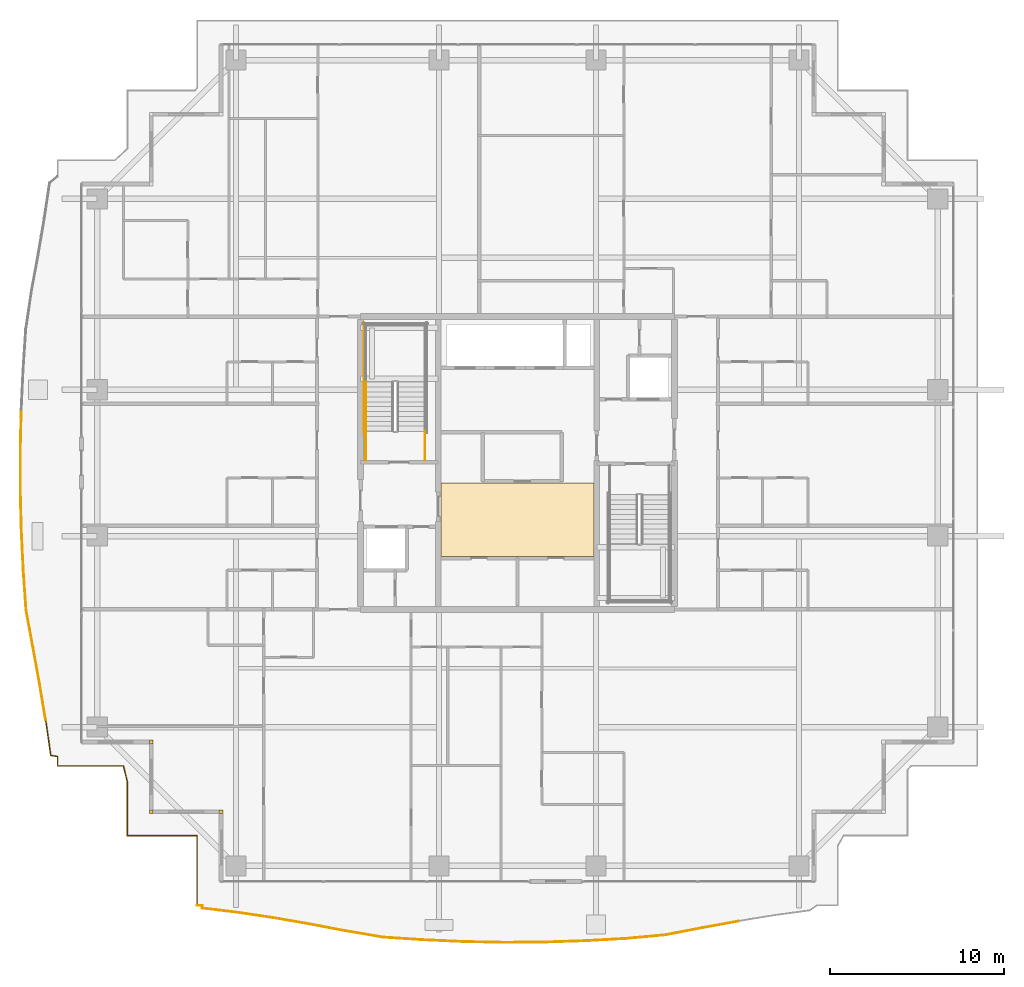
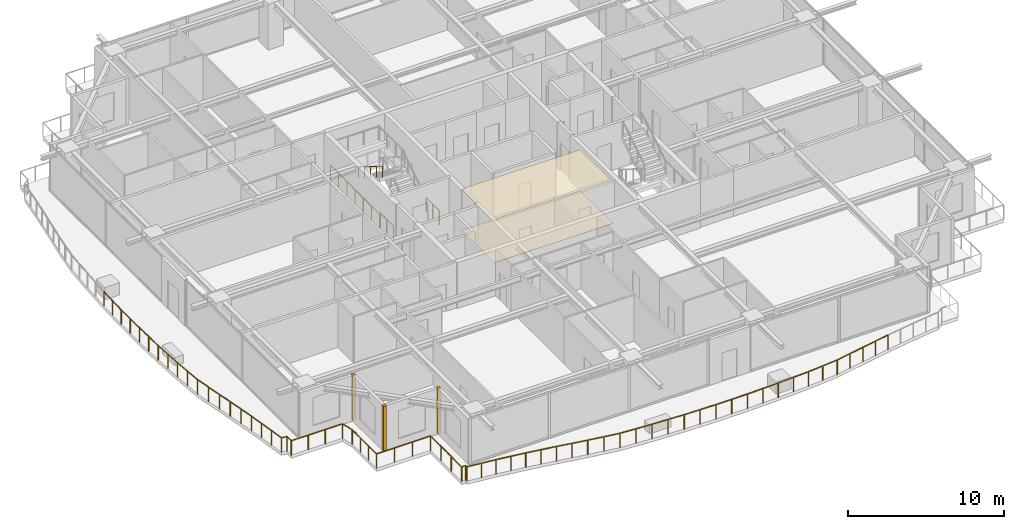
# One storey, part 32 of 36: 8 railings, 5 coverings.
"""IFC4 building model written with IfcOpenShell, lengths in metres."""

from ifc_helpers import new_model, si_unit, direction, frame, origin, origin_2d, place, context, subcontext, project, spatial, polyline, rectangle, circle, outline, extrude, source, transform, mapped, material, layer, layer_set, type_object, element, save


model = new_model("IFC4")

# Units and contexts
model_context = context("Model", 3, precision=1e-05, world=origin(), true_north=direction((0.0, 1.0)))
body_context = subcontext(model_context, "Body", "Model", "MODEL_VIEW")
ifc_project = project(units=[si_unit("LENGTHUNIT", "METRE"), si_unit("AREAUNIT", "SQUARE_METRE"), si_unit("VOLUMEUNIT", "CUBIC_METRE"), si_unit("PLANEANGLEUNIT", "RADIAN"), si_unit("MASSUNIT", "GRAM", prefix="KILO")], contexts=[model_context])

# Site, building, storey
site_placement = place(None, origin())
site = spatial("IfcSite", under=ifc_project, at=site_placement, CompositionType="ELEMENT")
building_placement = place(site_placement, origin())
building = spatial("IfcBuilding", under=site, at=building_placement, Name="Serunith Strait Residences", CompositionType="ELEMENT")
storey_placement = place(building_placement, frame((0.0, 0.0, 256.64990234375)))
storey = spatial("IfcBuildingStorey", under=building, at=storey_placement, Name="L64", CompositionType="ELEMENT", Elevation=256.64990234375)

# Coverings
ifc_material_1 = material(Name="Perforated acoustic gypsum ceiling tile")
ifc_layer_1 = layer(ifc_material_1, 0.02490234375, Name="Perforated acoustic gypsum ceiling tile")
ifc_layer_set_1 = layer_set([ifc_layer_1], Name="Perforated acoustic gypsum ceiling tile")
covering_type_1 = type_object("IfcCoveringType", Name="COV-CEIL-AC60", PredefinedType="CEILING", material=ifc_layer_set_1)
covering_1_placement = place(storey_placement, frame((0.0, 0.0, 3.239990234375)))
element("IfcCovering", 1, at=covering_1_placement, inside=storey, type_object=covering_type_1, Name="L64 Lift Lobby Acoustic Ceiling", PredefinedType="CEILING", context=body_context, shape_type="SweptSolid", body=[
    extrude(outline(polyline([(28.0, 19.85009765625), (36.800048828125, 19.85009765625), (36.800048828125, 24.050048828125), (28.0, 24.050048828125), (28.0, 19.85009765625)])), origin(), (0.0, 0.0, 1.0), 0.025146484375),
])
ifc_material_2 = material(Name="Honed limestone terrazzo flooring", Category="masonry")
ifc_layer_2 = layer(ifc_material_2, 0.02001953125, Name="Honed limestone terrazzo flooring")
ifc_layer_set_2 = layer_set([ifc_layer_2], Name="Honed limestone terrazzo flooring")
covering_type_2 = type_object("IfcCoveringType", Name="COV-FLOOR-TER40", PredefinedType="FLOORING", material=ifc_layer_set_2)
covering_2_placement = place(storey_placement, origin())
element("IfcCovering", 2, at=covering_2_placement, inside=storey, type_object=covering_type_2, Name="L64 Lift Lobby Terrazzo Flooring", PredefinedType="FLOORING", context=body_context, shape_type="SweptSolid", body=[
    extrude(outline(polyline([(28.0, 19.85009765625), (36.800048828125, 19.85009765625), (36.800048828125, 24.050048828125), (28.0, 24.050048828125), (28.0, 19.85009765625)])), origin(), (0.0, 0.0, 1.0), 0.02001953125),
])

# Railings
ifc_material_3 = material(Name="Stainless Steel & Laminated Glass Balustrade", Category="steel")
railing_type_1 = type_object("IfcRailingType", Name="RLG-BALC-1150", PredefinedType="BALUSTRADE", material=ifc_material_3)
railing_1_placement = place(storey_placement, frame((14.02001953125, -0.179931640625, -0.0498046875)))
element("IfcRailing", 3, at=railing_1_placement, inside=storey, type_object=railing_type_1, Name="L64 Swirling Balcony Perimeter Balustrade 1", PredefinedType="BALUSTRADE", context=body_context, shape_type="SweptSolid", body=[
    extrude(circle(Radius=0.02392578125, at=origin_2d()), frame((0.0, 0.001953125, 1.1259765625), z_axis=(0.0, 1.0, 0.0), x_axis=(-1.0, 0.0, 0.0)), (0.0, 0.0, 1.0), 3.99609375),
    extrude(circle(Radius=0.02392578125, at=origin_2d()), frame((-0.001953125, 4.0, 1.1259765625), z_axis=(-1.0, 0.0, 0.0), x_axis=(0.0, -1.0, 0.0)), (0.0, 0.0, 1.0), 3.99609375),
    extrude(circle(Radius=0.02392578125, at=origin_2d()), frame((-4.0, 4.001953125, 1.1259765625), z_axis=(0.0, 1.0, 0.0), x_axis=(-1.0, 0.0, 0.0)), (0.0, 0.0, 1.0), 3.099853515625),
    extrude(circle(Radius=0.02392578125, at=origin_2d()), frame((-4.00048828125, 7.105712890625, 1.1259765625), z_axis=(-0.238861725019, 0.971053590859, 0.0), x_axis=(-0.971053590859, -0.238861725019, 0.0)), (0.0, 0.0, 1.0), 0.9189453125),
    extrude(circle(Radius=0.02392578125, at=origin_2d()), frame((-4.222412109375, 8.0, 1.1259765625), z_axis=(-1.0, 0.0, 0.0), x_axis=(0.0, -1.0, 0.0)), (0.0, 0.0, 1.0), 3.775634765625),
    extrude(circle(Radius=0.02392578125, at=origin_2d()), frame((-8.0, 8.001953125, 1.1259765625), z_axis=(0.0, 1.0, 0.0), x_axis=(-1.0, 0.0, 0.0)), (0.0, 0.0, 1.0), 0.5361328125),
    extrude(circle(Radius=0.02392578125, at=origin_2d()), frame((-8.001953125, 8.540283203125, 1.1259765625), z_axis=(-0.986174998293, 0.16570718977, 0.0), x_axis=(-0.16570718977, -0.986174998293, 0.0)), (0.0, 0.0, 1.0), 0.389404296875),
    extrude(circle(Radius=0.02392578125, at=origin_2d()), frame((-8.38818359375, 8.607177734375, 1.1259765625), z_axis=(-0.140687502805, 0.99005405234, 0.0), x_axis=(-0.99005405234, -0.140687502805, 0.0)), (0.0, 0.0, 1.0), 2.04541015625),
    extrude(circle(Radius=0.02099609375, at=origin_2d()), origin(), (0.0, 0.0, 1.0), 1.099853515625),
    extrude(circle(Radius=0.02099609375, at=origin_2d()), frame((0.0, 1.333251953125, 0.0)), (0.0, 0.0, 1.0), 1.099853515625),
    extrude(circle(Radius=0.02099609375, at=origin_2d()), frame((0.0, 2.666748046875, 0.0)), (0.0, 0.0, 1.0), 1.099853515625),
    extrude(circle(Radius=0.02099609375, at=origin_2d()), frame((0.0, 4.0, 0.0)), (0.0, 0.0, 1.0), 1.099853515625),
    extrude(circle(Radius=0.02099609375, at=origin_2d()), frame((-1.333251953125, 4.0, 0.0)), (0.0, 0.0, 1.0), 1.099853515625),
    extrude(circle(Radius=0.02099609375, at=origin_2d()), frame((-2.666748046875, 4.0, 0.0)), (0.0, 0.0, 1.0), 1.099853515625),
    extrude(circle(Radius=0.02099609375, at=origin_2d()), frame((-4.0, 4.0, 0.0)), (0.0, 0.0, 1.0), 1.099853515625),
    extrude(circle(Radius=0.02099609375, at=origin_2d()), frame((-4.0, 5.03466796875, 0.0)), (0.0, 0.0, 1.0), 1.099853515625),
    extrude(circle(Radius=0.02099609375, at=origin_2d()), frame((-4.0, 6.069091796875, 0.0)), (0.0, 0.0, 1.0), 1.099853515625),
    extrude(circle(Radius=0.02099609375, at=origin_2d()), frame((-4.0, 7.103759765625, 0.0)), (0.0, 0.0, 1.0), 1.099853515625),
    extrude(circle(Radius=0.02099609375, at=origin_2d()), frame((-4.220458984375, 8.0, 0.0)), (0.0, 0.0, 1.0), 1.099853515625),
    extrude(circle(Radius=0.02099609375, at=origin_2d()), frame((-5.480224609375, 8.0, 0.0)), (0.0, 0.0, 1.0), 1.099853515625),
    extrude(circle(Radius=0.02099609375, at=origin_2d()), frame((-6.740234375, 8.0, 0.0)), (0.0, 0.0, 1.0), 1.099853515625),
    extrude(circle(Radius=0.02099609375, at=origin_2d()), frame((-8.0, 8.0, 0.0)), (0.0, 0.0, 1.0), 1.099853515625),
    extrude(circle(Radius=0.02099609375, at=origin_2d()), frame((-8.0, 8.5400390625, 0.0)), (0.0, 0.0, 1.0), 1.099853515625),
    extrude(circle(Radius=0.02099609375, at=origin_2d()), frame((-8.387939453125, 8.605224609375, 0.0)), (0.0, 0.0, 1.0), 1.099853515625),
    extrude(circle(Radius=0.02099609375, at=origin_2d()), frame((-8.5322265625, 9.61962890625, 0.0)), (0.0, 0.0, 1.0), 1.099853515625),
    extrude(circle(Radius=0.02099609375, at=origin_2d()), frame((-8.67626953125, 10.63427734375, 0.0)), (0.0, 0.0, 1.0), 1.099853515625),
])
railing_2_placement = place(storey_placement, frame((5.34375, 10.454345703125, -0.0498046875)))
element("IfcRailing", 4, at=railing_2_placement, inside=storey, type_object=railing_type_1, Name="L64 Swirling Balcony Perimeter Balustrade 2", PredefinedType="BALUSTRADE", context=body_context, shape_type="SweptSolid", body=[
    extrude(circle(Radius=0.02392578125, at=origin_2d()), frame((-0.000244140625, 0.001953125, 1.1259765625), z_axis=(-0.163865983263, 0.986482609846, 0.0), x_axis=(-0.986482609846, -0.163865983263, 0.0)), (0.0, 0.0, 1.0), 2.075927734375),
    extrude(circle(Radius=0.02392578125, at=origin_2d()), frame((-0.341064453125, 2.0537109375, 1.1259765625), z_axis=(-0.179461337217, 0.983765027049, 0.0), x_axis=(-0.983765027049, -0.179461337217, 0.0)), (0.0, 0.0, 1.0), 2.122314453125),
    extrude(circle(Radius=0.02392578125, at=origin_2d()), frame((-0.72265625, 4.1455078125, 1.1259765625), z_axis=(-0.181165272287, 0.983452664909, 0.0), x_axis=(-0.983452664909, -0.181165272287, 0.0)), (0.0, 0.0, 1.0), 2.181884765625),
    extrude(circle(Radius=0.02392578125, at=origin_2d()), frame((-1.11865234375, 6.295166015625, 1.1259765625), z_axis=(-0.070177766568, 0.997534501198, 0.0), x_axis=(-0.997534501198, -0.070177766568, 0.0)), (0.0, 0.0, 1.0), 2.267822265625),
    extrude(circle(Radius=0.02392578125, at=origin_2d()), frame((-1.27783203125, 8.561279296875, 1.1259765625), z_axis=(-0.04847734675, 0.99882428227, 0.0), x_axis=(-0.99882428227, -0.04847734675, 0.0)), (0.0, 0.0, 1.0), 2.297607421875),
    extrude(circle(Radius=0.02392578125, at=origin_2d()), frame((-1.389404296875, 10.860107421875, 1.1259765625), z_axis=(-0.025357594477, 0.999678444502, 0.0), x_axis=(-0.999678444502, -0.025357594477, 0.0)), (0.0, 0.0, 1.0), 2.31640625),
    extrude(circle(Radius=0.02392578125, at=origin_2d()), frame((-1.4482421875, 13.1796875, 1.1259765625), z_axis=(-0.000524328787, 0.99999986254, 0.0), x_axis=(-0.99999986254, -0.000524328787, 0.0)), (0.0, 0.0, 1.0), 2.32421875),
    extrude(circle(Radius=0.02392578125, at=origin_2d()), frame((-1.449462890625, 15.5078125, 1.1259765625), z_axis=(0.024177998315, 0.99970766947, 0.0), x_axis=(-0.99970766947, 0.024177998315, 0.0)), (0.0, 0.0, 1.0), 2.318359375),
    extrude(circle(Radius=0.02099609375, at=origin_2d()), origin(), (0.0, 0.0, 1.0), 1.099853515625),
    extrude(circle(Radius=0.02099609375, at=origin_2d()), frame((-0.17041015625, 1.02587890625, 0.0)), (0.0, 0.0, 1.0), 1.099853515625),
    extrude(circle(Radius=0.02099609375, at=origin_2d()), frame((-0.3408203125, 2.0517578125, 0.0)), (0.0, 0.0, 1.0), 1.099853515625),
    extrude(circle(Radius=0.02099609375, at=origin_2d()), frame((-0.53173828125, 3.09765625, 0.0)), (0.0, 0.0, 1.0), 1.099853515625),
    extrude(circle(Radius=0.02099609375, at=origin_2d()), frame((-0.722412109375, 4.1435546875, 0.0)), (0.0, 0.0, 1.0), 1.099853515625),
    extrude(circle(Radius=0.02099609375, at=origin_2d()), frame((-0.92041015625, 5.21826171875, 0.0)), (0.0, 0.0, 1.0), 1.099853515625),
    extrude(circle(Radius=0.02099609375, at=origin_2d()), frame((-1.118408203125, 6.293212890625, 0.0)), (0.0, 0.0, 1.0), 1.099853515625),
    extrude(circle(Radius=0.02099609375, at=origin_2d()), frame((-1.1982421875, 7.42626953125, 0.0)), (0.0, 0.0, 1.0), 1.099853515625),
    extrude(circle(Radius=0.02099609375, at=origin_2d()), frame((-1.27783203125, 8.559326171875, 0.0)), (0.0, 0.0, 1.0), 1.099853515625),
    extrude(circle(Radius=0.02099609375, at=origin_2d()), frame((-1.33349609375, 9.708740234375, 0.0)), (0.0, 0.0, 1.0), 1.099853515625),
    extrude(circle(Radius=0.02099609375, at=origin_2d()), frame((-1.389404296875, 10.858154296875, 0.0)), (0.0, 0.0, 1.0), 1.099853515625),
    extrude(circle(Radius=0.02099609375, at=origin_2d()), frame((-1.4189453125, 12.01806640625, 0.0)), (0.0, 0.0, 1.0), 1.099853515625),
    extrude(circle(Radius=0.02099609375, at=origin_2d()), frame((-1.4482421875, 13.177734375, 0.0)), (0.0, 0.0, 1.0), 1.099853515625),
    extrude(circle(Radius=0.02099609375, at=origin_2d()), frame((-1.44873046875, 14.341796875, 0.0)), (0.0, 0.0, 1.0), 1.099853515625),
    extrude(circle(Radius=0.02099609375, at=origin_2d()), frame((-1.449462890625, 15.505859375, 0.0)), (0.0, 0.0, 1.0), 1.099853515625),
    extrude(circle(Radius=0.02099609375, at=origin_2d()), frame((-1.42138671875, 16.666748046875, 0.0)), (0.0, 0.0, 1.0), 1.099853515625),
    extrude(circle(Radius=0.02099609375, at=origin_2d()), frame((-1.393310546875, 17.82763671875, 0.0)), (0.0, 0.0, 1.0), 1.099853515625),
])
railing_3_placement = place(storey_placement, frame((45.081787109375, -1.076171875, -0.0498046875)))
element("IfcRailing", 5, at=railing_3_placement, inside=storey, type_object=railing_type_1, Name="L64 Swirling Balcony Perimeter Balustrade 7", PredefinedType="BALUSTRADE", context=body_context, shape_type="SweptSolid", body=[
    extrude(circle(Radius=0.02392578125, at=origin_2d()), frame((-0.001953125, -0.000244140625, 1.1259765625), z_axis=(-0.983463456528, -0.181106680366, 0.0), x_axis=(0.181106680366, -0.983463456528, 0.0)), (0.0, 0.0, 1.0), 2.11376953125),
    extrude(circle(Radius=0.02392578125, at=origin_2d()), frame((-2.084716796875, -0.384033203125, 1.1259765625), z_axis=(-0.982295389628, -0.187338643944, 0.0), x_axis=(0.187338643944, -0.982295389628, 0.0)), (0.0, 0.0, 1.0), 2.175048828125),
    extrude(circle(Radius=0.02392578125, at=origin_2d()), frame((-4.22509765625, -0.7919921875, 1.1259765625), z_axis=(-0.995803483157, -0.091517336783, 0.0), x_axis=(0.091517336783, -0.995803483157, 0.0)), (0.0, 0.0, 1.0), 2.260986328125),
    extrude(circle(Radius=0.02392578125, at=origin_2d()), frame((-6.48046875, -0.9990234375, 1.1259765625), z_axis=(-0.998435820192, -0.055909864573, 0.0), x_axis=(0.055909864573, -0.998435820192, 0.0)), (0.0, 0.0, 1.0), 2.301513671875),
    extrude(circle(Radius=0.02392578125, at=origin_2d()), frame((-8.782470703125, -1.1279296875, 1.1259765625), z_axis=(-0.999454294207, -0.033032011612, 0.0), x_axis=(0.033032011612, -0.999454294207, 0.0)), (0.0, 0.0, 1.0), 2.32421875),
    extrude(circle(Radius=0.02392578125, at=origin_2d()), frame((-11.109375, -1.204833984375, 1.1259765625), z_axis=(-0.999974046717, -0.00720457442, 0.0), x_axis=(0.00720457442, -0.999974046717, 0.0)), (0.0, 0.0, 1.0), 2.334228515625),
    extrude(circle(Radius=0.02392578125, at=origin_2d()), frame((-13.447509765625, -1.2216796875, 1.1259765625), z_axis=(-0.999812852127, 0.019345819228, 0.0), x_axis=(-0.019345819228, -0.999812852127, 0.0)), (0.0, 0.0, 1.0), 2.33056640625),
    extrude(circle(Radius=0.02392578125, at=origin_2d()), frame((-15.78173828125, -1.176513671875, 1.1259765625), z_axis=(-0.999015778693, 0.044356216287, 0.0), x_axis=(-0.044356216287, -0.999015778693, 0.0)), (0.0, 0.0, 1.0), 2.313232421875),
    extrude(circle(Radius=0.02099609375, at=origin_2d()), origin(), (0.0, 0.0, 1.0), 1.099853515625),
    extrude(circle(Radius=0.02099609375, at=origin_2d()), frame((-1.04150390625, -0.19189453125, 0.0)), (0.0, 0.0, 1.0), 1.099853515625),
    extrude(circle(Radius=0.02099609375, at=origin_2d()), frame((-2.082763671875, -0.383544921875, 0.0)), (0.0, 0.0, 1.0), 1.099853515625),
    extrude(circle(Radius=0.02099609375, at=origin_2d()), frame((-3.15283203125, -0.587646484375, 0.0)), (0.0, 0.0, 1.0), 1.099853515625),
    extrude(circle(Radius=0.02099609375, at=origin_2d()), frame((-4.22314453125, -0.791748046875, 0.0)), (0.0, 0.0, 1.0), 1.099853515625),
    extrude(circle(Radius=0.02099609375, at=origin_2d()), frame((-5.350830078125, -0.8955078125, 0.0)), (0.0, 0.0, 1.0), 1.099853515625),
    extrude(circle(Radius=0.02099609375, at=origin_2d()), frame((-6.478515625, -0.9990234375, 0.0)), (0.0, 0.0, 1.0), 1.099853515625),
    extrude(circle(Radius=0.02099609375, at=origin_2d()), frame((-7.62939453125, -1.0634765625, 0.0)), (0.0, 0.0, 1.0), 1.099853515625),
    extrude(circle(Radius=0.02099609375, at=origin_2d()), frame((-8.780517578125, -1.1279296875, 0.0)), (0.0, 0.0, 1.0), 1.099853515625),
    extrude(circle(Radius=0.02099609375, at=origin_2d()), frame((-9.94384765625, -1.16650390625, 0.0)), (0.0, 0.0, 1.0), 1.099853515625),
    extrude(circle(Radius=0.02099609375, at=origin_2d()), frame((-11.107421875, -1.204833984375, 0.0)), (0.0, 0.0, 1.0), 1.099853515625),
    extrude(circle(Radius=0.02099609375, at=origin_2d()), frame((-12.2763671875, -1.21337890625, 0.0)), (0.0, 0.0, 1.0), 1.099853515625),
    extrude(circle(Radius=0.02099609375, at=origin_2d()), frame((-13.445556640625, -1.2216796875, 0.0)), (0.0, 0.0, 1.0), 1.099853515625),
    extrude(circle(Radius=0.02099609375, at=origin_2d()), frame((-14.61279296875, -1.19921875, 0.0)), (0.0, 0.0, 1.0), 1.099853515625),
    extrude(circle(Radius=0.02099609375, at=origin_2d()), frame((-15.77978515625, -1.176513671875, 0.0)), (0.0, 0.0, 1.0), 1.099853515625),
    extrude(circle(Radius=0.02099609375, at=origin_2d()), frame((-16.937255859375, -1.125, 0.0)), (0.0, 0.0, 1.0), 1.099853515625),
    extrude(circle(Radius=0.02099609375, at=origin_2d()), frame((-18.0947265625, -1.07373046875, 0.0)), (0.0, 0.0, 1.0), 1.099853515625),
])
railing_4_placement = place(storey_placement, frame((26.987060546875, -2.14990234375, -0.0498046875)))
element("IfcRailing", 6, at=railing_4_placement, inside=storey, type_object=railing_type_1, Name="L64 Swirling Balcony Perimeter Balustrade 8", PredefinedType="BALUSTRADE", context=body_context, shape_type="SweptSolid", body=[
    extrude(circle(Radius=0.02392578125, at=origin_2d()), frame((-0.001953125, 0.000244140625, 1.1259765625), z_axis=(-0.997825556111, 0.065910238743, 0.0), x_axis=(-0.065910238743, -0.997825556111, 0.0)), (0.0, 0.0, 1.0), 2.28515625),
    extrude(circle(Radius=0.02392578125, at=origin_2d()), frame((-2.2861328125, 0.151123046875, 1.1259765625), z_axis=(-0.986072479805, 0.166316158479, 0.0), x_axis=(-0.166316158479, -0.986072479805, 0.0)), (0.0, 0.0, 1.0), 2.205322265625),
    extrude(circle(Radius=0.02392578125, at=origin_2d()), frame((-4.464599609375, 0.518798828125, 1.1259765625), z_axis=(-0.982502010473, 0.186251978289, 0.0), x_axis=(-0.186251978289, -0.982502010473, 0.0)), (0.0, 0.0, 1.0), 2.13525390625),
    extrude(circle(Radius=0.02392578125, at=origin_2d()), frame((-6.56640625, 0.9169921875, 1.1259765625), z_axis=(-0.985228919618, 0.171242447859, 0.0), x_axis=(-0.171242447859, -0.985228919618, 0.0)), (0.0, 0.0, 1.0), 2.083251953125),
    extrude(circle(Radius=0.02392578125, at=origin_2d()), frame((-8.622802734375, 1.2744140625, 1.1259765625), z_axis=(-0.989154237634, 0.146880543883, 0.0), x_axis=(-0.146880543883, -0.989154237634, 0.0)), (0.0, 0.0, 1.0), 2.048828125),
    extrude(circle(Radius=0.02392578125, at=origin_2d()), frame((-10.6533203125, 1.575927734375, 1.1259765625), z_axis=(-0.992787981131, 0.119883378841, 0.0), x_axis=(-0.119883378841, -0.992787981131, 0.0)), (0.0, 0.0, 1.0), 2.030517578125),
    extrude(circle(Radius=0.02392578125, at=origin_2d()), frame((-12.671142578125, 1.821533203125, 1.1259765625), z_axis=(0.008116615745, 0.999967059732, 0.0), x_axis=(-0.999967059732, 0.008116615745, 0.0)), (0.0, 0.0, 1.0), 0.146484375),
    extrude(circle(Radius=0.02392578125, at=origin_2d()), frame((-12.671875, 1.969970703125, 1.1259765625), z_axis=(-1.0, 0.0, 0.0), x_axis=(0.0, -1.0, 0.0)), (0.0, 0.0, 1.0), 0.293212890625),
    extrude(circle(Radius=0.02099609375, at=origin_2d()), origin(), (0.0, 0.0, 1.0), 1.099853515625),
    extrude(circle(Radius=0.02099609375, at=origin_2d()), frame((-1.14208984375, 0.075439453125, 0.0)), (0.0, 0.0, 1.0), 1.099853515625),
    extrude(circle(Radius=0.02099609375, at=origin_2d()), frame((-2.2841796875, 0.15087890625, 0.0)), (0.0, 0.0, 1.0), 1.099853515625),
    extrude(circle(Radius=0.02099609375, at=origin_2d()), frame((-3.37353515625, 0.33447265625, 0.0)), (0.0, 0.0, 1.0), 1.099853515625),
    extrude(circle(Radius=0.02099609375, at=origin_2d()), frame((-4.462646484375, 0.518310546875, 0.0)), (0.0, 0.0, 1.0), 1.099853515625),
    extrude(circle(Radius=0.02099609375, at=origin_2d()), frame((-5.513671875, 0.717529296875, 0.0)), (0.0, 0.0, 1.0), 1.099853515625),
    extrude(circle(Radius=0.02099609375, at=origin_2d()), frame((-6.564453125, 0.916748046875, 0.0)), (0.0, 0.0, 1.0), 1.099853515625),
    extrude(circle(Radius=0.02099609375, at=origin_2d()), frame((-7.5927734375, 1.095458984375, 0.0)), (0.0, 0.0, 1.0), 1.099853515625),
    extrude(circle(Radius=0.02099609375, at=origin_2d()), frame((-8.620849609375, 1.274169921875, 0.0)), (0.0, 0.0, 1.0), 1.099853515625),
    extrude(circle(Radius=0.02099609375, at=origin_2d()), frame((-9.63623046875, 1.4248046875, 0.0)), (0.0, 0.0, 1.0), 1.099853515625),
    extrude(circle(Radius=0.02099609375, at=origin_2d()), frame((-10.6513671875, 1.57568359375, 0.0)), (0.0, 0.0, 1.0), 1.099853515625),
    extrude(circle(Radius=0.02099609375, at=origin_2d()), frame((-11.6611328125, 1.69775390625, 0.0)), (0.0, 0.0, 1.0), 1.099853515625),
    extrude(circle(Radius=0.02099609375, at=origin_2d()), frame((-12.671142578125, 1.819580078125, 0.0)), (0.0, 0.0, 1.0), 1.099853515625),
    extrude(circle(Radius=0.02099609375, at=origin_2d()), frame((-12.669921875, 1.969970703125, 0.0)), (0.0, 0.0, 1.0), 1.099853515625),
    extrude(circle(Radius=0.02099609375, at=origin_2d()), frame((-12.967041015625, 1.969970703125, 0.0)), (0.0, 0.0, 1.0), 1.099853515625),
])
ifc_material_4 = material(Name="Brushed stainless steel 316L", Category="steel")
railing_type_2 = type_object("IfcRailingType", Name="RLG-STAIR-GUARD", PredefinedType="BALUSTRADE", material=ifc_material_4)
for number, where, name in (
    (7, (27.10009765625, 25.35009765625, 0.0), "L64 ST-1 stair guard 8"),
    (8, (23.699951171875, 25.35009765625, 0.0), "L64 ST-1 stair guard 9"),
):
    element("IfcRailing", number, at=place(storey_placement, frame(where)), inside=storey, type_object=railing_type_2, Name=name, PredefinedType="BALUSTRADE", context=body_context, shape_type="SweptSolid", body=[
        extrude(circle(Radius=0.02392578125, at=origin_2d()), frame((0.0, 0.001953125, 1.076171875), z_axis=(0.0, 1.0, 0.0), x_axis=(-1.0, 0.0, 0.0)), (0.0, 0.0, 1.0), 1.676025390625),
        extrude(circle(Radius=0.02099609375, at=origin_2d()), origin(), (0.0, 0.0, 1.0), 1.050048828125),
        extrude(circle(Radius=0.02099609375, at=origin_2d()), frame((0.0, 0.83984375, 0.0)), (0.0, 0.0, 1.0), 1.050048828125),
        extrude(circle(Radius=0.02099609375, at=origin_2d()), frame((0.0, 1.679931640625, 0.0)), (0.0, 0.0, 1.0), 1.050048828125),
    ])
railing_5_placement = place(storey_placement, frame((23.60009765625, 26.929931640625, 0.0)))
element("IfcRailing", 9, at=railing_5_placement, inside=storey, type_object=railing_type_2, Name="L64 ST-1 stair guard 11", PredefinedType="BALUSTRADE", context=body_context, shape_type="SweptSolid", body=[
    extrude(circle(Radius=0.02392578125, at=origin_2d()), frame((0.0, 0.001953125, 1.076171875), z_axis=(0.0, 1.0, 0.0), x_axis=(-1.0, 0.0, 0.0)), (0.0, 0.0, 1.0), 6.316162109375),
    extrude(circle(Radius=0.02099609375, at=origin_2d()), origin(), (0.0, 0.0, 1.0), 1.050048828125),
    extrude(circle(Radius=0.02099609375, at=origin_2d()), frame((0.0, 1.05322265625, 0.0)), (0.0, 0.0, 1.0), 1.050048828125),
    extrude(circle(Radius=0.02099609375, at=origin_2d()), frame((0.0, 2.106689453125, 0.0)), (0.0, 0.0, 1.0), 1.050048828125),
    extrude(circle(Radius=0.02099609375, at=origin_2d()), frame((0.0, 3.16015625, 0.0)), (0.0, 0.0, 1.0), 1.050048828125),
    extrude(circle(Radius=0.02099609375, at=origin_2d()), frame((0.0, 4.21337890625, 0.0)), (0.0, 0.0, 1.0), 1.050048828125),
    extrude(circle(Radius=0.02099609375, at=origin_2d()), frame((0.0, 5.2666015625, 0.0)), (0.0, 0.0, 1.0), 1.050048828125),
    extrude(circle(Radius=0.02099609375, at=origin_2d()), frame((0.0, 6.320068359375, 0.0)), (0.0, 0.0, 1.0), 1.050048828125),
])
railing_type_3 = type_object("IfcRailingType", Name="RLG-STAIR-HR", PredefinedType="HANDRAIL", material=ifc_material_4)
railing_6_placement = place(storey_placement, frame((23.699951171875, 29.830078125, 2.10009765625)))
element("IfcRailing", 10, at=railing_6_placement, inside=storey, type_object=railing_type_3, Name="L64 ST-1 stair handrail 2", PredefinedType="HANDRAIL", context=body_context, shape_type="SweptSolid", body=[
    extrude(circle(Radius=0.02392578125, at=origin_2d()), frame((0.0, -0.001708984375, 0.876953125), z_axis=(0.0, -0.847393994688, 0.530964610654), x_axis=(1.0, 0.0, 0.0)), (0.0, 0.0, 1.0), 3.630859375),
    extrude(circle(Radius=0.02099609375, at=origin_2d()), origin(), (0.0, 0.0, 1.0), 0.849853515625),
    extrude(circle(Radius=0.02099609375, at=origin_2d()), frame((0.0, -0.77001953125, 0.482421875)), (0.0, 0.0, 1.0), 0.849853515625),
    extrude(circle(Radius=0.02099609375, at=origin_2d()), frame((0.0, -1.5400390625, 0.96484375)), (0.0, 0.0, 1.0), 0.849853515625),
    extrude(circle(Radius=0.02099609375, at=origin_2d()), frame((0.0, -2.31005859375, 1.447509765625)), (0.0, 0.0, 1.0), 0.849853515625),
    extrude(circle(Radius=0.02099609375, at=origin_2d()), frame((0.0, -3.080078125, 1.929931640625)), (0.0, 0.0, 1.0), 0.849853515625),
])

# Coverings
ifc_material_5 = material(Name="Pale-Champagne Anodised Aluminium", Category="aluminium")
ifc_layer_3 = layer(ifc_material_5, 0.219970703125, Name="Pale-Champagne Anodised Aluminium")
ifc_layer_set_3 = layer_set([ifc_layer_3], Name="Pale-Champagne Anodised Aluminium")
covering_type_3 = type_object("IfcCoveringType", Name="COV-CORN-TRIM", PredefinedType="CLADDING", material=ifc_layer_set_3)
shared_shape = source(origin(), body_context, "Body", "SweptSolid", [
    extrude(rectangle(XDim=0.221923828125, YDim=0.221923828125, at=origin_2d()), origin(), (0.0, 0.0, 1.0), 3.574951171875),
])
for number, where, z_axis, x_axis, name in (
    (11, (11.39990234375, 9.199951171875, 0.0), (0.0, 0.0, 1.0), (1.0, 0.0, 0.0), "L64 Girih Serrated Corner Trim Post 17"),
    (12, (11.39990234375, 5.199951171875, 0.0), (0.0, 0.0, 1.0), (1.0, 0.0, 0.0), "L64 Girih Serrated Corner Trim Post 18"),
    (13, (15.39990234375, 5.199951171875, 0.0), (0.0, 0.0, 1.0), (1.0, 0.0, 0.0), "L64 Girih Serrated Corner Trim Post 19"),
):
    element("IfcCovering", number, at=place(storey_placement, frame(where, z_axis=z_axis, x_axis=x_axis)), inside=storey, type_object=covering_type_3, Name=name, PredefinedType="CLADDING", context=body_context, shape_type="MappedRepresentation", body=[
        mapped(shared_shape, transform((0.0, 0.0, 0.0), scale=1.0)),
    ])

save(model, "model.ifc")
